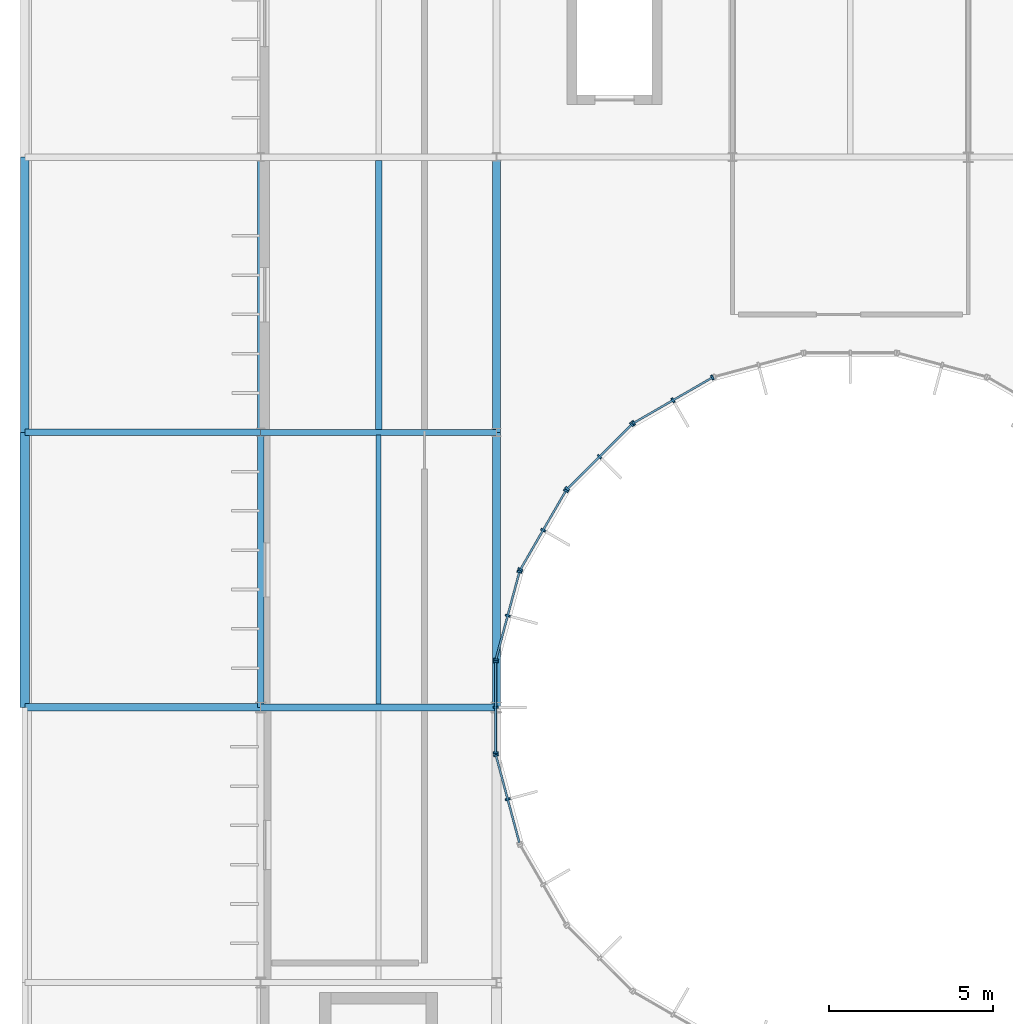
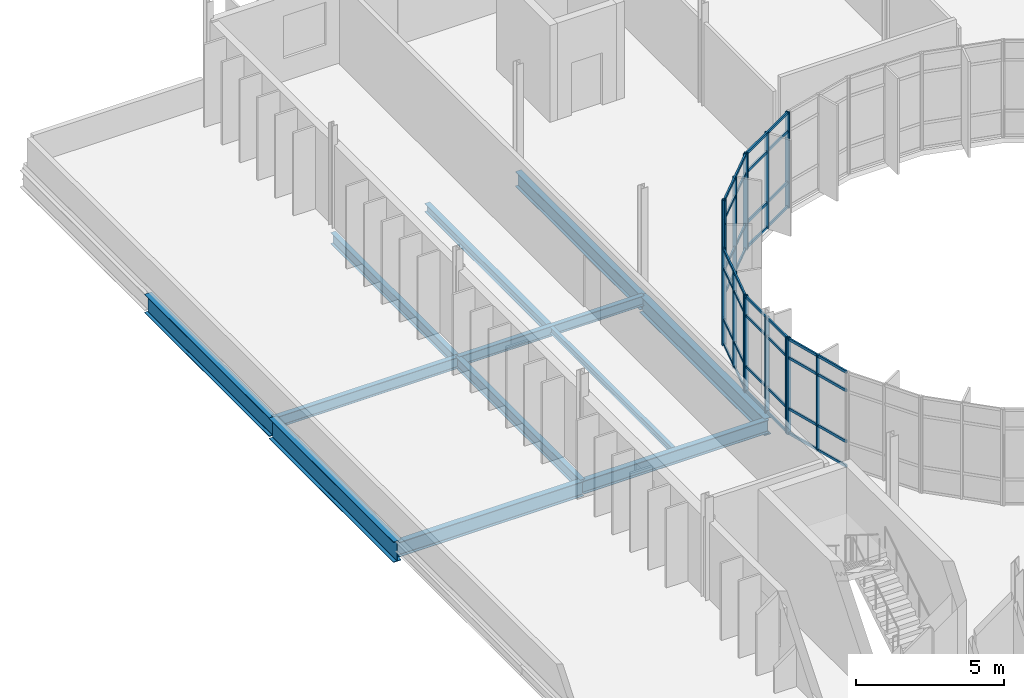
# One storey, part 15 of 52: 41 members, 12 beams, 6 elements without a shape of their own.
"""IFC4 building model written with IfcOpenShell, lengths in metres."""

from ifc_helpers import new_model, si_unit, direction, frame, origin, origin_2d, place, context, subcontext, project, spatial, rectangle, i_section, extrude, material, material_profile, profile_set, type_object, element, aggregate, save


model = new_model("IFC4")

# Units and contexts
model_context = context("Model", 3, precision=1e-05, world=origin(), true_north=direction((0.0, 1.0)))
body_context = subcontext(model_context, "Body", "Model", "MODEL_VIEW")
ifc_project = project(units=[si_unit("LENGTHUNIT", "METRE"), si_unit("AREAUNIT", "SQUARE_METRE"), si_unit("VOLUMEUNIT", "CUBIC_METRE"), si_unit("PLANEANGLEUNIT", "RADIAN"), si_unit("MASSUNIT", "GRAM", prefix="KILO")], contexts=[model_context])

# Site, building, storey
site_placement = place(None, origin())
site = spatial("IfcSite", under=ifc_project, at=site_placement, CompositionType="ELEMENT")
building_placement = place(site_placement, origin())
building = spatial("IfcBuilding", under=site, at=building_placement, Name="Qelthora Terrace Specialist Clinic", CompositionType="ELEMENT")
storey_placement = place(building_placement, frame((0.0, 0.0, 17.39990234375)))
storey = spatial("IfcBuildingStorey", under=building, at=storey_placement, Name="L04", CompositionType="ELEMENT", Elevation=17.39990234375)

# Beams
ifc_material_1 = material(Name="Steel S355", Category="steel")
ifc_material_profile_1 = material_profile(ifc_material_1, i_section(OverallWidth=0.179931640625, OverallDepth=0.4130859375, WebThickness=0.009765625, FlangeThickness=0.01611328125, FilletRadius=0.011962890625, at=origin_2d()), Name="W410X75")
ifc_profile_set_1 = profile_set([ifc_material_profile_1], Name="Steel S355")
beam_type_1 = type_object("IfcBeamType", Name="BM-W410X75", PredefinedType="BEAM", material=ifc_profile_set_1)
beam_1_placement = place(storey_placement, frame((7.199951171875, 92.39990234375, -0.456298828125), z_axis=(1.0, 0.0, 0.0), x_axis=(0.0, 1.0, 0.0)))
element("IfcBeam", 1, at=beam_1_placement, inside=storey, type_object=beam_type_1, Name="Girder BMX-L04-1173", PredefinedType="BEAM", context=body_context, shape_type="SweptSolid", body=[
    extrude(i_section(OverallWidth=0.179931640625, OverallDepth=0.4130859375, WebThickness=0.009765625, FlangeThickness=0.01611328125, FilletRadius=0.011962890625, at=origin_2d()), origin(), (0.0, 0.0, 1.0), 7.199951171875),
])
ifc_material_profile_2 = material_profile(ifc_material_1, i_section(OverallWidth=0.19091796875, OverallDepth=0.4599609375, WebThickness=0.010009765625, FlangeThickness=0.01611328125, FilletRadius=0.012939453125, at=origin_2d()), Name="W460X82")
ifc_profile_set_2 = profile_set([ifc_material_profile_2], Name="Steel S355")
beam_type_2 = type_object("IfcBeamType", Name="BM-W460X82", PredefinedType="BEAM", material=ifc_profile_set_2)
beam_2_placement = place(storey_placement, frame((7.199951171875, 92.39990234375, -0.47998046875), z_axis=(0.0, 1.0, 0.0), x_axis=(-1.0, 0.0, 0.0)))
element("IfcBeam", 2, at=beam_2_placement, inside=storey, type_object=beam_type_2, Name="Girder BMY-L04-1218", PredefinedType="BEAM", context=body_context, shape_type="SweptSolid", body=[
    extrude(i_section(OverallWidth=0.19091796875, OverallDepth=0.4599609375, WebThickness=0.010009765625, FlangeThickness=0.01611328125, FilletRadius=0.012939453125, at=origin_2d()), origin(), (0.0, 0.0, 1.0), 8.400146484375),
])
ifc_material_profile_3 = material_profile(ifc_material_1, i_section(OverallWidth=0.193115234375, OverallDepth=0.466064453125, WebThickness=0.011474609375, FlangeThickness=0.01904296875, FilletRadius=0.012939453125, at=origin_2d()), Name="W460X97")
ifc_profile_set_3 = profile_set([ifc_material_profile_3], Name="Steel S355")
beam_type_3 = type_object("IfcBeamType", Name="BM-W460X97", PredefinedType="BEAM", material=ifc_profile_set_3)
beam_3_placement = place(storey_placement, frame((7.199951171875, 84.0, -0.48291015625), z_axis=(0.0, 1.0, 0.0), x_axis=(-1.0, 0.0, 0.0)))
element("IfcBeam", 3, at=beam_3_placement, inside=storey, type_object=beam_type_3, Name="Girder BMY-L04-1217", PredefinedType="BEAM", context=body_context, shape_type="SweptSolid", body=[
    extrude(i_section(OverallWidth=0.193115234375, OverallDepth=0.466064453125, WebThickness=0.011474609375, FlangeThickness=0.01904296875, FilletRadius=0.012939453125, at=origin_2d()), origin(), (0.0, 0.0, 1.0), 8.39990234375),
])
ifc_material_profile_4 = material_profile(ifc_material_1, i_section(OverallWidth=0.2119140625, OverallDepth=0.5439453125, WebThickness=0.01318359375, FlangeThickness=0.021240234375, FilletRadius=0.013916015625, at=origin_2d()), Name="W530X123")
ifc_profile_set_4 = profile_set([ifc_material_profile_4], Name="Steel S355")
beam_type_4 = type_object("IfcBeamType", Name="BM-W530X123", PredefinedType="BEAM", material=ifc_profile_set_4)
beam_4_placement = place(storey_placement, frame((7.199951171875, 84.0, -0.52197265625), z_axis=(1.0, 0.0, 0.0), x_axis=(0.0, 1.0, 0.0)))
element("IfcBeam", 4, at=beam_4_placement, inside=storey, type_object=beam_type_4, Name="Girder BMX-L04-1167", PredefinedType="BEAM", context=body_context, shape_type="SweptSolid", body=[
    extrude(i_section(OverallWidth=0.2119140625, OverallDepth=0.5439453125, WebThickness=0.01318359375, FlangeThickness=0.021240234375, FilletRadius=0.013916015625, at=origin_2d()), origin(), (0.0, 0.0, 1.0), 7.199951171875),
])
ifc_material_profile_5 = material_profile(ifc_material_1, i_section(OverallWidth=0.22900390625, OverallDepth=0.612060546875, WebThickness=0.011962890625, FlangeThickness=0.01953125, FilletRadius=0.01611328125, at=origin_2d()), Name="W610X125")
ifc_profile_set_5 = profile_set([ifc_material_profile_5], Name="Steel S355")
beam_type_5 = type_object("IfcBeamType", Name="BM-W610X125", PredefinedType="BEAM", material=ifc_profile_set_5)
beam_5_placement = place(storey_placement, frame((0.0, 84.0, -0.555908203125), z_axis=(1.0, 0.0, 0.0), x_axis=(0.0, 1.0, 0.0)))
element("IfcBeam", 5, at=beam_5_placement, inside=storey, type_object=beam_type_5, Name="Girder BMX-L04-1166", PredefinedType="BEAM", context=body_context, shape_type="SweptSolid", body=[
    extrude(i_section(OverallWidth=0.22900390625, OverallDepth=0.612060546875, WebThickness=0.011962890625, FlangeThickness=0.01953125, FilletRadius=0.01611328125, at=origin_2d()), origin(), (0.0, 0.0, 1.0), 7.199951171875),
])
ifc_material_profile_6 = material_profile(ifc_material_1, i_section(OverallWidth=0.22998046875, OverallDepth=0.616943359375, WebThickness=0.01318359375, FlangeThickness=0.022216796875, FilletRadius=0.01611328125, at=origin_2d()), Name="W610X140")
ifc_profile_set_6 = profile_set([ifc_material_profile_6], Name="Steel S355")
beam_type_6 = type_object("IfcBeamType", Name="BM-W610X140", PredefinedType="BEAM", material=ifc_profile_set_6)
beam_6_placement = place(storey_placement, frame((14.39990234375, 92.39990234375, -0.558349609375), z_axis=(0.0, 1.0, 0.0), x_axis=(-1.0, 0.0, 0.0)))
element("IfcBeam", 6, at=beam_6_placement, inside=storey, type_object=beam_type_6, Name="Girder BMY-L04-1224", PredefinedType="BEAM", context=body_context, shape_type="SweptSolid", body=[
    extrude(i_section(OverallWidth=0.22998046875, OverallDepth=0.616943359375, WebThickness=0.01318359375, FlangeThickness=0.022216796875, FilletRadius=0.01611328125, at=origin_2d()), origin(), (0.0, 0.0, 1.0), 8.400146484375),
])
ifc_material_profile_7 = material_profile(ifc_material_1, i_section(OverallWidth=0.256103515625, OverallDepth=0.693115234375, WebThickness=0.014404296875, FlangeThickness=0.023681640625, FilletRadius=0.01806640625, at=origin_2d()), Name="W690X170")
ifc_profile_set_7 = profile_set([ifc_material_profile_7], Name="Steel S355")
beam_type_7 = type_object("IfcBeamType", Name="BM-W690X170", PredefinedType="BEAM", material=ifc_profile_set_7)
beam_7_placement = place(storey_placement, frame((14.39990234375, 84.0, -0.596435546875), z_axis=(0.0, 1.0, 0.0), x_axis=(-1.0, 0.0, 0.0)))
element("IfcBeam", 7, at=beam_7_placement, inside=storey, type_object=beam_type_7, Name="Girder BMY-L04-1223", PredefinedType="BEAM", context=body_context, shape_type="SweptSolid", body=[
    extrude(i_section(OverallWidth=0.256103515625, OverallDepth=0.693115234375, WebThickness=0.014404296875, FlangeThickness=0.023681640625, FilletRadius=0.01806640625, at=origin_2d()), origin(), (0.0, 0.0, 1.0), 8.39990234375),
])
ifc_material_profile_8 = material_profile(ifc_material_1, i_section(OverallWidth=0.26806640625, OverallDepth=0.77001953125, WebThickness=0.015625, FlangeThickness=0.025390625, FilletRadius=0.01904296875, at=origin_2d()), Name="W760X196")
ifc_profile_set_8 = profile_set([ifc_material_profile_8], Name="Steel S355")
beam_type_8 = type_object("IfcBeamType", Name="BM-W760X196", PredefinedType="BEAM", material=ifc_profile_set_8)
beam_8_placement = place(storey_placement, frame((0.0, 92.39990234375, -0.635009765625), z_axis=(0.0, 1.0, 0.0), x_axis=(-1.0, 0.0, 0.0)))
element("IfcBeam", 8, at=beam_8_placement, inside=storey, type_object=beam_type_8, Name="Girder BMY-L04-1212", PredefinedType="BEAM", context=body_context, shape_type="SweptSolid", body=[
    extrude(i_section(OverallWidth=0.26806640625, OverallDepth=0.77001953125, WebThickness=0.015625, FlangeThickness=0.025390625, FilletRadius=0.01904296875, at=origin_2d()), origin(), (0.0, 0.0, 1.0), 8.400146484375),
])
ifc_material_profile_9 = material_profile(ifc_material_1, i_section(OverallWidth=0.2939453125, OverallDepth=0.85107421875, WebThickness=0.01611328125, FlangeThickness=0.02685546875, FilletRadius=0.02001953125, at=origin_2d()), Name="W840X226")
ifc_profile_set_9 = profile_set([ifc_material_profile_9], Name="Steel S355")
beam_type_9 = type_object("IfcBeamType", Name="BM-W840X226", PredefinedType="BEAM", material=ifc_profile_set_9)
beam_9_placement = place(storey_placement, frame((0.0, 84.0, -0.67529296875), z_axis=(0.0, 1.0, 0.0), x_axis=(-1.0, 0.0, 0.0)))
element("IfcBeam", 9, at=beam_9_placement, inside=storey, type_object=beam_type_9, Name="Girder BMY-L04-1211", PredefinedType="BEAM", context=body_context, shape_type="SweptSolid", body=[
    extrude(i_section(OverallWidth=0.2939453125, OverallDepth=0.85107421875, WebThickness=0.01611328125, FlangeThickness=0.02685546875, FilletRadius=0.02001953125, at=origin_2d()), origin(), (0.0, 0.0, 1.0), 8.39990234375),
])

# Curtain wall, members
ifc_material_2 = material(Name="Aluminium anodized bronze", Category="aluminium")
curtain_wall_type = type_object("IfcCurtainWallType", Name="CW-CRTW-UPP", PredefinedType="NOTDEFINED", material=ifc_material_2)
curtain_wall_1_placement = place(storey_placement, origin())
curtain_wall_1 = element("IfcCurtainWall", 10, at=curtain_wall_1_placement, inside=storey, type_object=curtain_wall_type, Name="Curtain wall CW-CW-L04-08", PredefinedType="NOTDEFINED")
ifc_material_profile_10 = material_profile(ifc_material_2, rectangle(XDim=0.06005859375, YDim=0.14990234375, at=origin_2d()), Name="CWM60X150")
ifc_profile_set_10 = profile_set([ifc_material_profile_10], Name="Aluminium anodized bronze")
member_type_1 = type_object("IfcMemberType", Name="CWM-60X150", PredefinedType="MULLION", material=ifc_profile_set_10)
member_1_placement = place(storey_placement, frame((20.98974609375, 94.07177734375, 0.0), z_axis=(0.0, 0.0, 1.0), x_axis=(-0.866025635896, -0.499999597971, 0.0)))
member_1 = element("IfcMember", 11, at=member_1_placement, type_object=member_type_1, Name="CW-CW-L04-08 mullion 1", PredefinedType="MULLION", context=body_context, shape_type="SweptSolid", body=[
    extrude(rectangle(XDim=0.06005859375, YDim=0.14990234375, at=origin_2d()), origin(), (0.0, 0.0, 1.0), 3.945068359375),
])
member_2_placement = place(storey_placement, frame((19.7861328125, 93.376953125, 0.0), z_axis=(0.0, 0.0, 1.0), x_axis=(-0.866025635896, -0.499999597971, 0.0)))
member_2 = element("IfcMember", 12, at=member_2_placement, type_object=member_type_1, Name="CW-CW-L04-08 mullion 2", PredefinedType="MULLION", context=body_context, shape_type="SweptSolid", body=[
    extrude(rectangle(XDim=0.06005859375, YDim=0.14990234375, at=origin_2d()), origin(), (0.0, 0.0, 1.0), 3.945068359375),
])
member_3_placement = place(storey_placement, frame((18.582763671875, 92.68212890625, 0.0), z_axis=(0.0, 0.0, 1.0), x_axis=(-0.866025635896, -0.499999597971, 0.0)))
member_3 = element("IfcMember", 13, at=member_3_placement, type_object=member_type_1, Name="CW-CW-L04-08 mullion 3", PredefinedType="MULLION", context=body_context, shape_type="SweptSolid", body=[
    extrude(rectangle(XDim=0.06005859375, YDim=0.14990234375, at=origin_2d()), origin(), (0.0, 0.0, 1.0), 3.945068359375),
])

curtain_wall_2_placement = place(storey_placement, origin())
curtain_wall_2 = element("IfcCurtainWall", 14, at=curtain_wall_2_placement, inside=storey, type_object=curtain_wall_type, Name="Curtain wall CW-CW-L04-09", PredefinedType="NOTDEFINED")
member_4_placement = place(storey_placement, frame((18.5263671875, 92.638916015625, 0.0), z_axis=(0.0, 0.0, 1.0), x_axis=(-0.707106781187, -0.707106781187, 0.0)))
member_4 = element("IfcMember", 15, at=member_4_placement, type_object=member_type_1, Name="CW-CW-L04-09 mullion 1", PredefinedType="MULLION", context=body_context, shape_type="SweptSolid", body=[
    extrude(rectangle(XDim=0.06005859375, YDim=0.14990234375, at=origin_2d()), origin(), (0.0, 0.0, 1.0), 3.945068359375),
])
member_5_placement = place(storey_placement, frame((17.543701171875, 91.65625, 0.0), z_axis=(0.0, 0.0, 1.0), x_axis=(-0.707106781187, -0.707106781187, 0.0)))
member_5 = element("IfcMember", 16, at=member_5_placement, type_object=member_type_1, Name="CW-CW-L04-09 mullion 2", PredefinedType="MULLION", context=body_context, shape_type="SweptSolid", body=[
    extrude(rectangle(XDim=0.06005859375, YDim=0.14990234375, at=origin_2d()), origin(), (0.0, 0.0, 1.0), 3.945068359375),
])
member_6_placement = place(storey_placement, frame((16.56103515625, 90.673583984375, 0.0), z_axis=(0.0, 0.0, 1.0), x_axis=(-0.707106781187, -0.707106781187, 0.0)))
member_6 = element("IfcMember", 17, at=member_6_placement, type_object=member_type_1, Name="CW-CW-L04-09 mullion 3", PredefinedType="MULLION", context=body_context, shape_type="SweptSolid", body=[
    extrude(rectangle(XDim=0.06005859375, YDim=0.14990234375, at=origin_2d()), origin(), (0.0, 0.0, 1.0), 3.945068359375),
])

curtain_wall_3_placement = place(storey_placement, origin())
curtain_wall_3 = element("IfcCurtainWall", 18, at=curtain_wall_3_placement, inside=storey, type_object=curtain_wall_type, Name="Curtain wall CW-CW-L04-10", PredefinedType="NOTDEFINED")
member_7_placement = place(storey_placement, frame((16.517822265625, 90.6171875, 0.0), z_axis=(0.0, 0.0, 1.0), x_axis=(-0.499999597971, -0.866025635896, 0.0)))
member_7 = element("IfcMember", 19, at=member_7_placement, type_object=member_type_1, Name="CW-CW-L04-10 mullion 1", PredefinedType="MULLION", context=body_context, shape_type="SweptSolid", body=[
    extrude(rectangle(XDim=0.06005859375, YDim=0.14990234375, at=origin_2d()), origin(), (0.0, 0.0, 1.0), 3.945068359375),
])
member_8_placement = place(storey_placement, frame((15.822998046875, 89.413818359375, 0.0), z_axis=(0.0, 0.0, 1.0), x_axis=(-0.499999597971, -0.866025635896, 0.0)))
member_8 = element("IfcMember", 20, at=member_8_placement, type_object=member_type_1, Name="CW-CW-L04-10 mullion 2", PredefinedType="MULLION", context=body_context, shape_type="SweptSolid", body=[
    extrude(rectangle(XDim=0.06005859375, YDim=0.14990234375, at=origin_2d()), origin(), (0.0, 0.0, 1.0), 3.945068359375),
])
member_9_placement = place(storey_placement, frame((15.128173828125, 88.210205078125, 0.0), z_axis=(0.0, 0.0, 1.0), x_axis=(-0.499999597971, -0.866025635896, 0.0)))
member_9 = element("IfcMember", 21, at=member_9_placement, type_object=member_type_1, Name="CW-CW-L04-10 mullion 3", PredefinedType="MULLION", context=body_context, shape_type="SweptSolid", body=[
    extrude(rectangle(XDim=0.06005859375, YDim=0.14990234375, at=origin_2d()), origin(), (0.0, 0.0, 1.0), 3.945068359375),
])

curtain_wall_4_placement = place(storey_placement, origin())
curtain_wall_4 = element("IfcCurtainWall", 22, at=curtain_wall_4_placement, inside=storey, type_object=curtain_wall_type, Name="Curtain wall CW-CW-L04-11", PredefinedType="NOTDEFINED")
member_10_placement = place(storey_placement, frame((15.10107421875, 88.144775390625, 0.0), z_axis=(0.0, 0.0, 1.0), x_axis=(-0.258820356987, -0.96592547477, 0.0)))
member_10 = element("IfcMember", 23, at=member_10_placement, type_object=member_type_1, Name="CW-CW-L04-11 mullion 1", PredefinedType="MULLION", context=body_context, shape_type="SweptSolid", body=[
    extrude(rectangle(XDim=0.06005859375, YDim=0.14990234375, at=origin_2d()), origin(), (0.0, 0.0, 1.0), 3.945068359375),
])
member_11_placement = place(storey_placement, frame((14.7412109375, 86.802490234375, 0.0), z_axis=(0.0, 0.0, 1.0), x_axis=(-0.258820356987, -0.96592547477, 0.0)))
member_11 = element("IfcMember", 24, at=member_11_placement, type_object=member_type_1, Name="CW-CW-L04-11 mullion 2", PredefinedType="MULLION", context=body_context, shape_type="SweptSolid", body=[
    extrude(rectangle(XDim=0.06005859375, YDim=0.14990234375, at=origin_2d()), origin(), (0.0, 0.0, 1.0), 3.945068359375),
])
member_12_placement = place(storey_placement, frame((14.381591796875, 85.4599609375, 0.0), z_axis=(0.0, 0.0, 1.0), x_axis=(-0.258820356987, -0.96592547477, 0.0)))
member_12 = element("IfcMember", 25, at=member_12_placement, type_object=member_type_1, Name="CW-CW-L04-11 mullion 3", PredefinedType="MULLION", context=body_context, shape_type="SweptSolid", body=[
    extrude(rectangle(XDim=0.06005859375, YDim=0.14990234375, at=origin_2d()), origin(), (0.0, 0.0, 1.0), 3.945068359375),
])

curtain_wall_5_placement = place(storey_placement, origin())
curtain_wall_5 = element("IfcCurtainWall", 26, at=curtain_wall_5_placement, inside=storey, type_object=curtain_wall_type, Name="Curtain wall CW-CW-L04-12", PredefinedType="NOTDEFINED")
member_13_placement = place(storey_placement, frame((14.372314453125, 85.3896484375, 0.0), z_axis=(0.0, 0.0, 1.0), x_axis=(0.0, -1.0, 0.0)))
member_13 = element("IfcMember", 27, at=member_13_placement, type_object=member_type_1, Name="CW-CW-L04-12 mullion 1", PredefinedType="MULLION", context=body_context, shape_type="SweptSolid", body=[
    extrude(rectangle(XDim=0.06005859375, YDim=0.14990234375, at=origin_2d()), origin(), (0.0, 0.0, 1.0), 3.945068359375),
])
member_14_placement = place(storey_placement, frame((14.372314453125, 84.0, 0.0), z_axis=(0.0, 0.0, 1.0), x_axis=(0.0, -1.0, 0.0)))
member_14 = element("IfcMember", 28, at=member_14_placement, type_object=member_type_1, Name="CW-CW-L04-12 mullion 2", PredefinedType="MULLION", context=body_context, shape_type="SweptSolid", body=[
    extrude(rectangle(XDim=0.06005859375, YDim=0.14990234375, at=origin_2d()), origin(), (0.0, 0.0, 1.0), 3.945068359375),
])
member_15_placement = place(storey_placement, frame((14.372314453125, 82.6103515625, 0.0), z_axis=(0.0, 0.0, 1.0), x_axis=(0.0, -1.0, 0.0)))
member_15 = element("IfcMember", 29, at=member_15_placement, type_object=member_type_1, Name="CW-CW-L04-12 mullion 3", PredefinedType="MULLION", context=body_context, shape_type="SweptSolid", body=[
    extrude(rectangle(XDim=0.06005859375, YDim=0.14990234375, at=origin_2d()), origin(), (0.0, 0.0, 1.0), 3.945068359375),
])

curtain_wall_6_placement = place(storey_placement, origin())
curtain_wall_6 = element("IfcCurtainWall", 30, at=curtain_wall_6_placement, inside=storey, type_object=curtain_wall_type, Name="Curtain wall CW-CW-L04-13", PredefinedType="NOTDEFINED")
member_16_placement = place(storey_placement, frame((14.381591796875, 82.5400390625, 0.0), z_axis=(0.0, 0.0, 1.0), x_axis=(0.258820356987, -0.96592547477, 0.0)))
member_16 = element("IfcMember", 31, at=member_16_placement, type_object=member_type_1, Name="CW-CW-L04-13 mullion 1", PredefinedType="MULLION", context=body_context, shape_type="SweptSolid", body=[
    extrude(rectangle(XDim=0.06005859375, YDim=0.14990234375, at=origin_2d()), origin(), (0.0, 0.0, 1.0), 3.945068359375),
])
member_17_placement = place(storey_placement, frame((14.7412109375, 81.197509765625, 0.0), z_axis=(0.0, 0.0, 1.0), x_axis=(0.258820356987, -0.96592547477, 0.0)))
member_17 = element("IfcMember", 32, at=member_17_placement, type_object=member_type_1, Name="CW-CW-L04-13 mullion 2", PredefinedType="MULLION", context=body_context, shape_type="SweptSolid", body=[
    extrude(rectangle(XDim=0.06005859375, YDim=0.14990234375, at=origin_2d()), origin(), (0.0, 0.0, 1.0), 3.945068359375),
])

# Member
ifc_material_profile_11 = material_profile(ifc_material_2, rectangle(XDim=0.06005859375, YDim=0.110107421875, at=origin_2d()), Name="CWT60X110")
ifc_profile_set_11 = profile_set([ifc_material_profile_11], Name="Aluminium anodized bronze")
member_type_2 = type_object("IfcMemberType", Name="CWT-60X110", PredefinedType="USERDEFINED", material=ifc_profile_set_11)
member_18_placement = place(storey_placement, frame((20.972412109375, 94.061767578125, 0.0400390625), z_axis=(-0.866029747927, -0.499992475648, 0.0), x_axis=(0.499992475648, -0.866029747927, 0.0)))
member_18 = element("IfcMember", 33, at=member_18_placement, type_object=member_type_2, Name="CW-CW-L04-08 transom 1", ObjectType="TRANSOM", PredefinedType="USERDEFINED", context=body_context, shape_type="SweptSolid", body=[
    extrude(rectangle(XDim=0.06005859375, YDim=0.110107421875, at=origin_2d()), origin(), (0.0, 0.0, 1.0), 2.7392578125),
])

member_19_placement = place(storey_placement, frame((20.972412109375, 94.061767578125, 1.050048828125), z_axis=(-0.866029747927, -0.499992475648, 0.0), x_axis=(0.499992475648, -0.866029747927, 0.0)))
member_19 = element("IfcMember", 34, at=member_19_placement, type_object=member_type_2, Name="CW-CW-L04-08 transom 2", ObjectType="TRANSOM", PredefinedType="USERDEFINED", context=body_context, shape_type="SweptSolid", body=[
    extrude(rectangle(XDim=0.06005859375, YDim=0.110107421875, at=origin_2d()), origin(), (0.0, 0.0, 1.0), 2.7392578125),
])

member_20_placement = place(storey_placement, frame((20.972412109375, 94.061767578125, 3.14501953125), z_axis=(-0.866029747927, -0.499992475648, 0.0), x_axis=(0.499992475648, -0.866029747927, 0.0)))
member_20 = element("IfcMember", 35, at=member_20_placement, type_object=member_type_2, Name="CW-CW-L04-08 transom 3", ObjectType="TRANSOM", PredefinedType="USERDEFINED", context=body_context, shape_type="SweptSolid", body=[
    extrude(rectangle(XDim=0.06005859375, YDim=0.110107421875, at=origin_2d()), origin(), (0.0, 0.0, 1.0), 2.7392578125),
])

member_21_placement = place(storey_placement, frame((20.972412109375, 94.061767578125, 3.905029296875), z_axis=(-0.866029747927, -0.499992475648, 0.0), x_axis=(0.499992475648, -0.866029747927, 0.0)))
member_21 = element("IfcMember", 36, at=member_21_placement, type_object=member_type_2, Name="CW-CW-L04-08 transom 4", ObjectType="TRANSOM", PredefinedType="USERDEFINED", context=body_context, shape_type="SweptSolid", body=[
    extrude(rectangle(XDim=0.06005859375, YDim=0.110107421875, at=origin_2d()), origin(), (0.0, 0.0, 1.0), 2.7392578125),
])

aggregate(curtain_wall_1, [member_1, member_2, member_3, member_18, member_19, member_20, member_21])

member_22_placement = place(storey_placement, frame((18.51220703125, 92.624755859375, 0.0400390625), z_axis=(-0.707106781187, -0.707106781187, 0.0), x_axis=(0.707106781187, -0.707106781187, 0.0)))
member_22 = element("IfcMember", 37, at=member_22_placement, type_object=member_type_2, Name="CW-CW-L04-09 transom 1", ObjectType="TRANSOM", PredefinedType="USERDEFINED", context=body_context, shape_type="SweptSolid", body=[
    extrude(rectangle(XDim=0.06005859375, YDim=0.110107421875, at=origin_2d()), origin(), (0.0, 0.0, 1.0), 2.7392578125),
])

member_23_placement = place(storey_placement, frame((18.51220703125, 92.624755859375, 1.050048828125), z_axis=(-0.707106781187, -0.707106781187, 0.0), x_axis=(0.707106781187, -0.707106781187, 0.0)))
member_23 = element("IfcMember", 38, at=member_23_placement, type_object=member_type_2, Name="CW-CW-L04-09 transom 2", ObjectType="TRANSOM", PredefinedType="USERDEFINED", context=body_context, shape_type="SweptSolid", body=[
    extrude(rectangle(XDim=0.06005859375, YDim=0.110107421875, at=origin_2d()), origin(), (0.0, 0.0, 1.0), 2.7392578125),
])

member_24_placement = place(storey_placement, frame((18.51220703125, 92.624755859375, 3.14501953125), z_axis=(-0.707106781187, -0.707106781187, 0.0), x_axis=(0.707106781187, -0.707106781187, 0.0)))
member_24 = element("IfcMember", 39, at=member_24_placement, type_object=member_type_2, Name="CW-CW-L04-09 transom 3", ObjectType="TRANSOM", PredefinedType="USERDEFINED", context=body_context, shape_type="SweptSolid", body=[
    extrude(rectangle(XDim=0.06005859375, YDim=0.110107421875, at=origin_2d()), origin(), (0.0, 0.0, 1.0), 2.7392578125),
])

member_25_placement = place(storey_placement, frame((18.51220703125, 92.624755859375, 3.905029296875), z_axis=(-0.707106781187, -0.707106781187, 0.0), x_axis=(0.707106781187, -0.707106781187, 0.0)))
member_25 = element("IfcMember", 40, at=member_25_placement, type_object=member_type_2, Name="CW-CW-L04-09 transom 4", ObjectType="TRANSOM", PredefinedType="USERDEFINED", context=body_context, shape_type="SweptSolid", body=[
    extrude(rectangle(XDim=0.06005859375, YDim=0.110107421875, at=origin_2d()), origin(), (0.0, 0.0, 1.0), 2.7392578125),
])

aggregate(curtain_wall_2, [member_4, member_5, member_6, member_22, member_23, member_24, member_25])

member_26_placement = place(storey_placement, frame((16.5078125, 90.60009765625, 0.0400390625), z_axis=(-0.499953886166, -0.866052025982, 0.0), x_axis=(0.866052025982, -0.499953886166, 0.0)))
member_26 = element("IfcMember", 41, at=member_26_placement, type_object=member_type_2, Name="CW-CW-L04-10 transom 1", ObjectType="TRANSOM", PredefinedType="USERDEFINED", context=body_context, shape_type="SweptSolid", body=[
    extrude(rectangle(XDim=0.06005859375, YDim=0.110107421875, at=origin_2d()), origin(), (0.0, 0.0, 1.0), 2.739501953125),
])

member_27_placement = place(storey_placement, frame((16.5078125, 90.60009765625, 1.050048828125), z_axis=(-0.499953886166, -0.866052025982, 0.0), x_axis=(0.866052025982, -0.499953886166, 0.0)))
member_27 = element("IfcMember", 42, at=member_27_placement, type_object=member_type_2, Name="CW-CW-L04-10 transom 2", ObjectType="TRANSOM", PredefinedType="USERDEFINED", context=body_context, shape_type="SweptSolid", body=[
    extrude(rectangle(XDim=0.06005859375, YDim=0.110107421875, at=origin_2d()), origin(), (0.0, 0.0, 1.0), 2.739501953125),
])

member_28_placement = place(storey_placement, frame((16.5078125, 90.60009765625, 3.14501953125), z_axis=(-0.499953886166, -0.866052025982, 0.0), x_axis=(0.866052025982, -0.499953886166, 0.0)))
member_28 = element("IfcMember", 43, at=member_28_placement, type_object=member_type_2, Name="CW-CW-L04-10 transom 3", ObjectType="TRANSOM", PredefinedType="USERDEFINED", context=body_context, shape_type="SweptSolid", body=[
    extrude(rectangle(XDim=0.06005859375, YDim=0.110107421875, at=origin_2d()), origin(), (0.0, 0.0, 1.0), 2.739501953125),
])

member_29_placement = place(storey_placement, frame((16.5078125, 90.60009765625, 3.905029296875), z_axis=(-0.499953886166, -0.866052025982, 0.0), x_axis=(0.866052025982, -0.499953886166, 0.0)))
member_29 = element("IfcMember", 44, at=member_29_placement, type_object=member_type_2, Name="CW-CW-L04-10 transom 4", ObjectType="TRANSOM", PredefinedType="USERDEFINED", context=body_context, shape_type="SweptSolid", body=[
    extrude(rectangle(XDim=0.06005859375, YDim=0.110107421875, at=origin_2d()), origin(), (0.0, 0.0, 1.0), 2.739501953125),
])

aggregate(curtain_wall_3, [member_7, member_8, member_9, member_26, member_27, member_28, member_29])

member_30_placement = place(storey_placement, frame((15.095947265625, 88.12548828125, 0.0400390625), z_axis=(-0.258899423253, -0.965904285444, 0.0), x_axis=(0.965904285444, -0.258899423253, 0.0)))
member_30 = element("IfcMember", 45, at=member_30_placement, type_object=member_type_2, Name="CW-CW-L04-11 transom 1", ObjectType="TRANSOM", PredefinedType="USERDEFINED", context=body_context, shape_type="SweptSolid", body=[
    extrude(rectangle(XDim=0.06005859375, YDim=0.110107421875, at=origin_2d()), origin(), (0.0, 0.0, 1.0), 2.739501953125),
])

member_31_placement = place(storey_placement, frame((15.095947265625, 88.12548828125, 1.050048828125), z_axis=(-0.258899423253, -0.965904285444, 0.0), x_axis=(0.965904285444, -0.258899423253, 0.0)))
member_31 = element("IfcMember", 46, at=member_31_placement, type_object=member_type_2, Name="CW-CW-L04-11 transom 2", ObjectType="TRANSOM", PredefinedType="USERDEFINED", context=body_context, shape_type="SweptSolid", body=[
    extrude(rectangle(XDim=0.06005859375, YDim=0.110107421875, at=origin_2d()), origin(), (0.0, 0.0, 1.0), 2.739501953125),
])

member_32_placement = place(storey_placement, frame((15.095947265625, 88.12548828125, 3.14501953125), z_axis=(-0.258899423253, -0.965904285444, 0.0), x_axis=(0.965904285444, -0.258899423253, 0.0)))
member_32 = element("IfcMember", 47, at=member_32_placement, type_object=member_type_2, Name="CW-CW-L04-11 transom 3", ObjectType="TRANSOM", PredefinedType="USERDEFINED", context=body_context, shape_type="SweptSolid", body=[
    extrude(rectangle(XDim=0.06005859375, YDim=0.110107421875, at=origin_2d()), origin(), (0.0, 0.0, 1.0), 2.739501953125),
])

member_33_placement = place(storey_placement, frame((15.095947265625, 88.12548828125, 3.905029296875), z_axis=(-0.258899423253, -0.965904285444, 0.0), x_axis=(0.965904285444, -0.258899423253, 0.0)))
member_33 = element("IfcMember", 48, at=member_33_placement, type_object=member_type_2, Name="CW-CW-L04-11 transom 4", ObjectType="TRANSOM", PredefinedType="USERDEFINED", context=body_context, shape_type="SweptSolid", body=[
    extrude(rectangle(XDim=0.06005859375, YDim=0.110107421875, at=origin_2d()), origin(), (0.0, 0.0, 1.0), 2.739501953125),
])

aggregate(curtain_wall_4, [member_10, member_11, member_12, member_30, member_31, member_32, member_33])

member_34_placement = place(storey_placement, frame((14.372314453125, 85.36962890625, 0.0400390625), z_axis=(0.0, -1.0, 0.0), x_axis=(1.0, 0.0, 0.0)))
member_34 = element("IfcMember", 49, at=member_34_placement, type_object=member_type_2, Name="CW-CW-L04-12 transom 1", ObjectType="TRANSOM", PredefinedType="USERDEFINED", context=body_context, shape_type="SweptSolid", body=[
    extrude(rectangle(XDim=0.06005859375, YDim=0.110107421875, at=origin_2d()), origin(), (0.0, 0.0, 1.0), 2.7392578125),
])

member_35_placement = place(storey_placement, frame((14.372314453125, 85.36962890625, 1.050048828125), z_axis=(0.0, -1.0, 0.0), x_axis=(1.0, 0.0, 0.0)))
member_35 = element("IfcMember", 50, at=member_35_placement, type_object=member_type_2, Name="CW-CW-L04-12 transom 2", ObjectType="TRANSOM", PredefinedType="USERDEFINED", context=body_context, shape_type="SweptSolid", body=[
    extrude(rectangle(XDim=0.06005859375, YDim=0.110107421875, at=origin_2d()), origin(), (0.0, 0.0, 1.0), 2.7392578125),
])

member_36_placement = place(storey_placement, frame((14.372314453125, 85.36962890625, 3.14501953125), z_axis=(0.0, -1.0, 0.0), x_axis=(1.0, 0.0, 0.0)))
member_36 = element("IfcMember", 51, at=member_36_placement, type_object=member_type_2, Name="CW-CW-L04-12 transom 3", ObjectType="TRANSOM", PredefinedType="USERDEFINED", context=body_context, shape_type="SweptSolid", body=[
    extrude(rectangle(XDim=0.06005859375, YDim=0.110107421875, at=origin_2d()), origin(), (0.0, 0.0, 1.0), 2.7392578125),
])

member_37_placement = place(storey_placement, frame((14.372314453125, 85.36962890625, 3.905029296875), z_axis=(0.0, -1.0, 0.0), x_axis=(1.0, 0.0, 0.0)))
member_37 = element("IfcMember", 52, at=member_37_placement, type_object=member_type_2, Name="CW-CW-L04-12 transom 4", ObjectType="TRANSOM", PredefinedType="USERDEFINED", context=body_context, shape_type="SweptSolid", body=[
    extrude(rectangle(XDim=0.06005859375, YDim=0.110107421875, at=origin_2d()), origin(), (0.0, 0.0, 1.0), 2.7392578125),
])

aggregate(curtain_wall_5, [member_13, member_14, member_15, member_34, member_35, member_36, member_37])

member_38_placement = place(storey_placement, frame((14.38671875, 82.5205078125, 0.0400390625), z_axis=(0.258899423253, -0.965904285444, 0.0), x_axis=(0.965904285444, 0.258899423253, 0.0)))
member_38 = element("IfcMember", 53, at=member_38_placement, type_object=member_type_2, Name="CW-CW-L04-13 transom 1", ObjectType="TRANSOM", PredefinedType="USERDEFINED", context=body_context, shape_type="SweptSolid", body=[
    extrude(rectangle(XDim=0.06005859375, YDim=0.110107421875, at=origin_2d()), origin(), (0.0, 0.0, 1.0), 2.739501953125),
])

member_39_placement = place(storey_placement, frame((14.38671875, 82.5205078125, 1.050048828125), z_axis=(0.258899423253, -0.965904285444, 0.0), x_axis=(0.965904285444, 0.258899423253, 0.0)))
member_39 = element("IfcMember", 54, at=member_39_placement, type_object=member_type_2, Name="CW-CW-L04-13 transom 2", ObjectType="TRANSOM", PredefinedType="USERDEFINED", context=body_context, shape_type="SweptSolid", body=[
    extrude(rectangle(XDim=0.06005859375, YDim=0.110107421875, at=origin_2d()), origin(), (0.0, 0.0, 1.0), 2.739501953125),
])

member_40_placement = place(storey_placement, frame((14.38671875, 82.5205078125, 3.14501953125), z_axis=(0.258899423253, -0.965904285444, 0.0), x_axis=(0.965904285444, 0.258899423253, 0.0)))
member_40 = element("IfcMember", 55, at=member_40_placement, type_object=member_type_2, Name="CW-CW-L04-13 transom 3", ObjectType="TRANSOM", PredefinedType="USERDEFINED", context=body_context, shape_type="SweptSolid", body=[
    extrude(rectangle(XDim=0.06005859375, YDim=0.110107421875, at=origin_2d()), origin(), (0.0, 0.0, 1.0), 2.739501953125),
])

member_41_placement = place(storey_placement, frame((14.38671875, 82.5205078125, 3.905029296875), z_axis=(0.258899423253, -0.965904285444, 0.0), x_axis=(0.965904285444, 0.258899423253, 0.0)))
member_41 = element("IfcMember", 56, at=member_41_placement, type_object=member_type_2, Name="CW-CW-L04-13 transom 4", ObjectType="TRANSOM", PredefinedType="USERDEFINED", context=body_context, shape_type="SweptSolid", body=[
    extrude(rectangle(XDim=0.06005859375, YDim=0.110107421875, at=origin_2d()), origin(), (0.0, 0.0, 1.0), 2.739501953125),
])

aggregate(curtain_wall_6, [member_16, member_17, member_38, member_39, member_40, member_41])

# Beams
ifc_material_profile_12 = material_profile(ifc_material_1, i_section(OverallWidth=0.14599609375, OverallDepth=0.258056640625, WebThickness=0.006103515625, FlangeThickness=0.009033203125, FilletRadius=0.009033203125, at=origin_2d()), Name="W250X33")
ifc_profile_set_12 = profile_set([ifc_material_profile_12], Name="Steel S355")
beam_type_10 = type_object("IfcBeamType", Name="JST-W250X33", PredefinedType="JOIST", material=ifc_profile_set_12)
beam_10_placement = place(storey_placement, frame((10.800048828125, 84.10595703125, -0.37890625), z_axis=(0.0, 1.0, 0.0), x_axis=(-1.0, 0.0, 0.0)))
element("IfcBeam", 57, at=beam_10_placement, inside=storey, type_object=beam_type_10, Name="Composite floor joist JST-L04-0264", PredefinedType="JOIST", context=body_context, shape_type="SweptSolid", body=[
    extrude(i_section(OverallWidth=0.14599609375, OverallDepth=0.258056640625, WebThickness=0.006103515625, FlangeThickness=0.009033203125, FilletRadius=0.009033203125, at=origin_2d()), origin(), (0.0, 0.0, 1.0), 8.2041015625),
])
ifc_material_profile_13 = material_profile(ifc_material_1, i_section(OverallWidth=0.202880859375, OverallDepth=0.346923828125, WebThickness=0.0078125, FlangeThickness=0.013427734375, FilletRadius=0.010986328125, at=origin_2d()), Name="W360X64")
ifc_profile_set_13 = profile_set([ifc_material_profile_13], Name="Steel S355")
beam_type_11 = type_object("IfcBeamType", Name="JST-W360X64", PredefinedType="JOIST", material=ifc_profile_set_13)
beam_11_placement = place(storey_placement, frame((10.800048828125, 92.489990234375, -0.42333984375), z_axis=(0.0, 1.0, 0.0), x_axis=(-1.0, 0.0, 0.0)))
element("IfcBeam", 58, at=beam_11_placement, inside=storey, type_object=beam_type_11, Name="Composite floor joist JST-L04-0265", PredefinedType="JOIST", context=body_context, shape_type="SweptSolid", body=[
    extrude(i_section(OverallWidth=0.202880859375, OverallDepth=0.346923828125, WebThickness=0.0078125, FlangeThickness=0.013427734375, FilletRadius=0.010986328125, at=origin_2d()), origin(), (0.0, 0.0, 1.0), 8.214599609375),
])
ifc_material_profile_14 = material_profile(ifc_material_1, i_section(OverallWidth=0.19091796875, OverallDepth=0.4599609375, WebThickness=0.010009765625, FlangeThickness=0.01611328125, FilletRadius=0.012939453125, at=origin_2d()), Name="W460X82")
ifc_profile_set_14 = profile_set([ifc_material_profile_14], Name="Steel S355")
beam_type_12 = type_object("IfcBeamType", Name="SPD-W460X82", PredefinedType="SPANDREL", material=ifc_profile_set_14)
beam_12_placement = place(storey_placement, frame((0.0, 92.39990234375, -0.47998046875), z_axis=(1.0, 0.0, 0.0), x_axis=(0.0, 1.0, 0.0)))
element("IfcBeam", 59, at=beam_12_placement, inside=storey, type_object=beam_type_12, Name="Girder BMX-L04-1172", PredefinedType="SPANDREL", context=body_context, shape_type="SweptSolid", body=[
    extrude(i_section(OverallWidth=0.19091796875, OverallDepth=0.4599609375, WebThickness=0.010009765625, FlangeThickness=0.01611328125, FilletRadius=0.012939453125, at=origin_2d()), origin(), (0.0, 0.0, 1.0), 7.199951171875),
])

save(model, "model.ifc")
